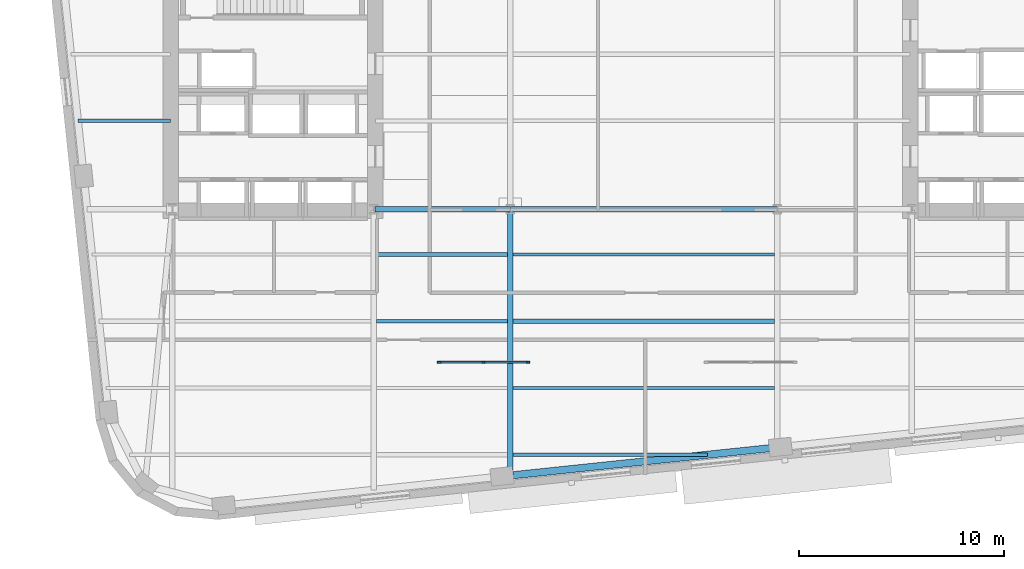
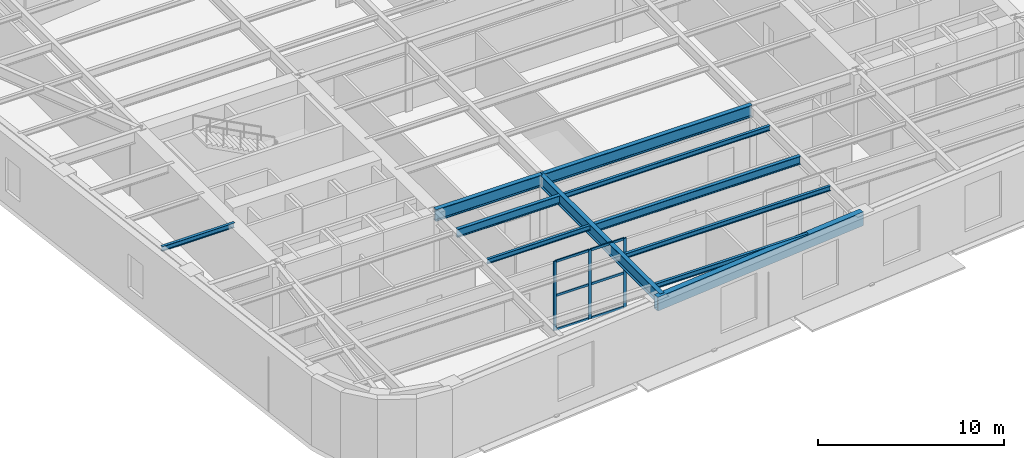
# One storey, part 2 of 14: 11 beams, 9 members, 1 element without a shape of its own.
"""IFC4 building model written with IfcOpenShell, lengths in metres."""

from ifc_helpers import new_model, si_unit, direction, frame, origin, origin_2d, place, context, subcontext, project, spatial, rectangle, hollow_rectangle, i_section, extrude, material, material_profile, profile_set, type_object, element, aggregate, save


model = new_model("IFC4")

# Units and contexts
model_context = context("Model", 3, precision=1e-05, world=origin(), true_north=direction((0.0, 1.0)))
body_context = subcontext(model_context, "Body", "Model", "MODEL_VIEW")
ifc_project = project(units=[si_unit("LENGTHUNIT", "METRE"), si_unit("AREAUNIT", "SQUARE_METRE"), si_unit("VOLUMEUNIT", "CUBIC_METRE"), si_unit("PLANEANGLEUNIT", "RADIAN"), si_unit("MASSUNIT", "GRAM", prefix="KILO")], contexts=[model_context])

# Site, building, storey
site_placement = place(None, origin())
site = spatial("IfcSite", under=ifc_project, at=site_placement, CompositionType="ELEMENT")
building_placement = place(site_placement, origin())
building = spatial("IfcBuilding", under=site, at=building_placement, Name="Kolvaren Arena Tower", CompositionType="ELEMENT")
storey_placement = place(building_placement, frame((0.0, 0.0, 125.949951171875)))
storey = spatial("IfcBuildingStorey", under=building, at=storey_placement, Name="L29", CompositionType="ELEMENT", Elevation=125.949951171875)

# Beams
ifc_material_1 = material(Name="Steel CSA G40.21 350W", Category="steel")
ifc_material_profile_1 = material_profile(ifc_material_1, i_section(OverallWidth=0.2119140625, OverallDepth=0.54296875, WebThickness=0.01318359375, FlangeThickness=0.0244140625, FilletRadius=0.013916015625, at=origin_2d()), Name="W530x150")
ifc_profile_set_1 = profile_set([ifc_material_profile_1], Name="Steel CSA G40.21 350W")
beam_type_1 = type_object("IfcBeamType", Name="BEAM-F1", PredefinedType="BEAM", material=ifc_profile_set_1)
beam_1_placement = place(storey_placement, frame((31.135009765625, 14.0, 4.258544921875), z_axis=(1.0, 0.0, 0.0), x_axis=(0.0, 1.0, 0.0)))
element("IfcBeam", 1, at=beam_1_placement, inside=storey, type_object=beam_type_1, Name="Composite Floor Beam (L29)", PredefinedType="BEAM", context=body_context, shape_type="SweptSolid", body=[
    extrude(i_section(OverallWidth=0.2119140625, OverallDepth=0.54296875, WebThickness=0.01318359375, FlangeThickness=0.0244140625, FilletRadius=0.013916015625, at=origin_2d()), origin(), (0.0, 0.0, 1.0), 12.72998046875),
])
beam_2_placement = place(storey_placement, frame((24.485107421875, 17.25, 4.258544921875), z_axis=(1.0, 0.0, 0.0), x_axis=(0.0, 1.0, 0.0)))
element("IfcBeam", 2, at=beam_2_placement, inside=storey, type_object=beam_type_1, Name="Composite Floor Beam (L29)", PredefinedType="BEAM", context=body_context, shape_type="SweptSolid", body=[
    extrude(i_section(OverallWidth=0.2119140625, OverallDepth=0.54296875, WebThickness=0.01318359375, FlangeThickness=0.0244140625, FilletRadius=0.013916015625, at=origin_2d()), origin(), (0.0, 0.0, 1.0), 6.3798828125),
])

# Curtain wall, members
ifc_material_2 = material(Name="Anodised aluminium unitised curtain wall", Category="aluminium")
curtain_wall_type = type_object("IfcCurtainWallType", Name="CW-SYS-03", PredefinedType="USERDEFINED", material=ifc_material_2)
curtain_wall_placement = place(storey_placement, origin())
curtain_wall = element("IfcCurtainWall", 3, at=curtain_wall_placement, inside=storey, type_object=curtain_wall_type, Name="Sky Lobby Feature Curtain Wall (L29)", ObjectType="UNITISED CURTAIN WALL", PredefinedType="USERDEFINED")
ifc_material_3 = material(Name="Anodised aluminium 6063-T6", Category="aluminium")
ifc_material_profile_2 = material_profile(ifc_material_3, rectangle(XDim=0.080078125, YDim=0.179931640625, at=origin_2d()), Name="ALU-80x180")
ifc_profile_set_2 = profile_set([ifc_material_profile_2], Name="Anodised aluminium 6063-T6")
member_type_1 = type_object("IfcMemberType", Name="CWM-STD", PredefinedType="MULLION", material=ifc_profile_set_2)
member_1_placement = place(storey_placement, frame((27.5400390625, 12.0, 0.0), z_axis=(0.0, 0.0, 1.0), x_axis=(0.0, 1.0, 0.0)))
member_1 = element("IfcMember", 4, at=member_1_placement, type_object=member_type_1, Name="CW3 mullion 1", PredefinedType="MULLION", context=body_context, shape_type="SweptSolid", body=[
    extrude(rectangle(XDim=0.080078125, YDim=0.179931640625, at=origin_2d()), origin(), (0.0, 0.0, 1.0), 4.530029296875),
])
member_2_placement = place(storey_placement, frame((29.699951171875, 12.0, 0.0), z_axis=(0.0, 0.0, 1.0), x_axis=(0.0, 1.0, 0.0)))
member_2 = element("IfcMember", 5, at=member_2_placement, type_object=member_type_1, Name="CW3 mullion 2", PredefinedType="MULLION", context=body_context, shape_type="SweptSolid", body=[
    extrude(rectangle(XDim=0.080078125, YDim=0.179931640625, at=origin_2d()), origin(), (0.0, 0.0, 1.0), 4.530029296875),
])
member_3_placement = place(storey_placement, frame((31.860107421875, 12.0, 0.0), z_axis=(0.0, 0.0, 1.0), x_axis=(0.0, 1.0, 0.0)))
member_3 = element("IfcMember", 6, at=member_3_placement, type_object=member_type_1, Name="CW3 mullion 3", PredefinedType="MULLION", context=body_context, shape_type="SweptSolid", body=[
    extrude(rectangle(XDim=0.080078125, YDim=0.179931640625, at=origin_2d()), origin(), (0.0, 0.0, 1.0), 4.530029296875),
])
ifc_material_profile_3 = material_profile(ifc_material_3, rectangle(XDim=0.080078125, YDim=0.14990234375, at=origin_2d()), Name="ALU-80x150")
ifc_profile_set_3 = profile_set([ifc_material_profile_3], Name="Anodised aluminium 6063-T6")
member_type_2 = type_object("IfcMemberType", Name="CWT-STD", PredefinedType="USERDEFINED", material=ifc_profile_set_3)
member_4_placement = place(storey_placement, frame((27.580078125, 12.0, 0.0400390625), z_axis=(1.0, 0.0, 0.0), x_axis=(0.0, 1.0, 0.0)))
member_4 = element("IfcMember", 7, at=member_4_placement, type_object=member_type_2, Name="CW3 transom 1.1", ObjectType="TRANSOM", PredefinedType="USERDEFINED", context=body_context, shape_type="SweptSolid", body=[
    extrude(rectangle(XDim=0.080078125, YDim=0.14990234375, at=origin_2d()), origin(), (0.0, 0.0, 1.0), 2.079833984375),
])
member_5_placement = place(storey_placement, frame((27.580078125, 12.0, 2.26513671875), z_axis=(1.0, 0.0, 0.0), x_axis=(0.0, 1.0, 0.0)))
member_5 = element("IfcMember", 8, at=member_5_placement, type_object=member_type_2, Name="CW3 transom 1.2", ObjectType="TRANSOM", PredefinedType="USERDEFINED", context=body_context, shape_type="SweptSolid", body=[
    extrude(rectangle(XDim=0.080078125, YDim=0.14990234375, at=origin_2d()), origin(), (0.0, 0.0, 1.0), 2.079833984375),
])
member_6_placement = place(storey_placement, frame((27.580078125, 12.0, 4.489990234375), z_axis=(1.0, 0.0, 0.0), x_axis=(0.0, 1.0, 0.0)))
member_6 = element("IfcMember", 9, at=member_6_placement, type_object=member_type_2, Name="CW3 transom 1.3", ObjectType="TRANSOM", PredefinedType="USERDEFINED", context=body_context, shape_type="SweptSolid", body=[
    extrude(rectangle(XDim=0.080078125, YDim=0.14990234375, at=origin_2d()), origin(), (0.0, 0.0, 1.0), 2.079833984375),
])
member_7_placement = place(storey_placement, frame((29.739990234375, 12.0, 0.0400390625), z_axis=(1.0, 0.0, 0.0), x_axis=(0.0, 1.0, 0.0)))
member_7 = element("IfcMember", 10, at=member_7_placement, type_object=member_type_2, Name="CW3 transom 2.1", ObjectType="TRANSOM", PredefinedType="USERDEFINED", context=body_context, shape_type="SweptSolid", body=[
    extrude(rectangle(XDim=0.080078125, YDim=0.14990234375, at=origin_2d()), origin(), (0.0, 0.0, 1.0), 2.080078125),
])
member_8_placement = place(storey_placement, frame((29.739990234375, 12.0, 2.26513671875), z_axis=(1.0, 0.0, 0.0), x_axis=(0.0, 1.0, 0.0)))
member_8 = element("IfcMember", 11, at=member_8_placement, type_object=member_type_2, Name="CW3 transom 2.2", ObjectType="TRANSOM", PredefinedType="USERDEFINED", context=body_context, shape_type="SweptSolid", body=[
    extrude(rectangle(XDim=0.080078125, YDim=0.14990234375, at=origin_2d()), origin(), (0.0, 0.0, 1.0), 2.080078125),
])
member_9_placement = place(storey_placement, frame((29.739990234375, 12.0, 4.489990234375), z_axis=(1.0, 0.0, 0.0), x_axis=(0.0, 1.0, 0.0)))
member_9 = element("IfcMember", 12, at=member_9_placement, type_object=member_type_2, Name="CW3 transom 2.3", ObjectType="TRANSOM", PredefinedType="USERDEFINED", context=body_context, shape_type="SweptSolid", body=[
    extrude(rectangle(XDim=0.080078125, YDim=0.14990234375, at=origin_2d()), origin(), (0.0, 0.0, 1.0), 2.080078125),
])
aggregate(curtain_wall, [member_1, member_2, member_3, member_4, member_5, member_6, member_7, member_8, member_9])

# Beams
ifc_material_profile_4 = material_profile(ifc_material_1, i_section(OverallWidth=0.27001953125, OverallDepth=0.77294921875, WebThickness=0.019287109375, FlangeThickness=0.033447265625, FilletRadius=0.01806640625, at=origin_2d()), Name="W760x257")
ifc_profile_set_4 = profile_set([ifc_material_profile_4], Name="Steel CSA G40.21 350W")
beam_type_2 = type_object("IfcBeamType", Name="GIRD-T1", PredefinedType="BEAM", material=ifc_profile_set_4)
beam_3_placement = place(storey_placement, frame((24.405029296875, 19.449951171875, 4.1435546875), z_axis=(1.0, 0.0, 0.0), x_axis=(0.0, 1.0, 0.0)))
element("IfcBeam", 13, at=beam_3_placement, inside=storey, type_object=beam_type_2, Name="Primary Floor Girder (L29)", PredefinedType="BEAM", context=body_context, shape_type="SweptSolid", body=[
    extrude(i_section(OverallWidth=0.27001953125, OverallDepth=0.77294921875, WebThickness=0.019287109375, FlangeThickness=0.033447265625, FilletRadius=0.01806640625, at=origin_2d()), origin(), (0.0, 0.0, 1.0), 6.594970703125),
])
beam_4_placement = place(storey_placement, frame((31.0, 19.449951171875, 4.1435546875), z_axis=(1.0, 0.0, 0.0), x_axis=(0.0, 1.0, 0.0)))
element("IfcBeam", 14, at=beam_4_placement, inside=storey, type_object=beam_type_2, Name="Primary Floor Girder (L29)", PredefinedType="BEAM", context=body_context, shape_type="SweptSolid", body=[
    extrude(i_section(OverallWidth=0.27001953125, OverallDepth=0.77294921875, WebThickness=0.019287109375, FlangeThickness=0.033447265625, FilletRadius=0.01806640625, at=origin_2d()), origin(), (0.0, 0.0, 1.0), 13.0),
])
beam_5_placement = place(storey_placement, frame((31.0, 6.4912109375, 4.1435546875), z_axis=(0.0, 1.0, 0.0), x_axis=(-1.0, 0.0, 0.0)))
element("IfcBeam", 15, at=beam_5_placement, inside=storey, type_object=beam_type_2, Name="Primary Floor Girder (L29)", PredefinedType="BEAM", context=body_context, shape_type="SweptSolid", body=[
    extrude(i_section(OverallWidth=0.27001953125, OverallDepth=0.77294921875, WebThickness=0.019287109375, FlangeThickness=0.033447265625, FilletRadius=0.01806640625, at=origin_2d()), origin(), (0.0, 0.0, 1.0), 12.958740234375),
])
ifc_material_profile_5 = material_profile(ifc_material_1, i_section(OverallWidth=0.1669921875, OverallDepth=0.31689453125, WebThickness=0.007568359375, FlangeThickness=0.01318359375, FilletRadius=0.010009765625, at=origin_2d()), Name="W310x52")
ifc_profile_set_5 = profile_set([ifc_material_profile_5], Name="Steel CSA G40.21 350W")
beam_type_3 = type_object("IfcBeamType", Name="JOIST-02", PredefinedType="JOIST", material=ifc_profile_set_5)
beam_6_placement = place(storey_placement, frame((31.135009765625, 7.5, 4.37158203125), z_axis=(1.0, 0.0, 0.0), x_axis=(0.0, 1.0, 0.0)))
element("IfcBeam", 16, at=beam_6_placement, inside=storey, type_object=beam_type_3, Name="Composite Floor Joist (L29)", PredefinedType="JOIST", context=body_context, shape_type="SweptSolid", body=[
    extrude(i_section(OverallWidth=0.1669921875, OverallDepth=0.31689453125, WebThickness=0.007568359375, FlangeThickness=0.01318359375, FilletRadius=0.010009765625, at=origin_2d()), origin(), (0.0, 0.0, 1.0), 9.462890625),
])
beam_7_placement = place(storey_placement, frame((31.135009765625, 10.75, 4.37158203125), z_axis=(1.0, 0.0, 0.0), x_axis=(0.0, 1.0, 0.0)))
element("IfcBeam", 17, at=beam_7_placement, inside=storey, type_object=beam_type_3, Name="Composite Floor Joist (L29)", PredefinedType="JOIST", context=body_context, shape_type="SweptSolid", body=[
    extrude(i_section(OverallWidth=0.1669921875, OverallDepth=0.31689453125, WebThickness=0.007568359375, FlangeThickness=0.01318359375, FilletRadius=0.010009765625, at=origin_2d()), origin(), (0.0, 0.0, 1.0), 12.72998046875),
])
beam_8_placement = place(storey_placement, frame((24.485107421875, 14.0, 4.37158203125), z_axis=(1.0, 0.0, 0.0), x_axis=(0.0, 1.0, 0.0)))
element("IfcBeam", 18, at=beam_8_placement, inside=storey, type_object=beam_type_3, Name="Composite Floor Joist (L29)", PredefinedType="JOIST", context=body_context, shape_type="SweptSolid", body=[
    extrude(i_section(OverallWidth=0.1669921875, OverallDepth=0.31689453125, WebThickness=0.007568359375, FlangeThickness=0.01318359375, FilletRadius=0.010009765625, at=origin_2d()), origin(), (0.0, 0.0, 1.0), 6.3798828125),
])
beam_9_placement = place(storey_placement, frame((31.135009765625, 17.25, 4.37158203125), z_axis=(1.0, 0.0, 0.0), x_axis=(0.0, 1.0, 0.0)))
element("IfcBeam", 19, at=beam_9_placement, inside=storey, type_object=beam_type_3, Name="Composite Floor Joist (L29)", PredefinedType="JOIST", context=body_context, shape_type="SweptSolid", body=[
    extrude(i_section(OverallWidth=0.1669921875, OverallDepth=0.31689453125, WebThickness=0.007568359375, FlangeThickness=0.01318359375, FilletRadius=0.010009765625, at=origin_2d()), origin(), (0.0, 0.0, 1.0), 12.72998046875),
])
beam_10_placement = place(storey_placement, frame((9.94970703125, 23.75, 4.37158203125), z_axis=(1.0, 0.0, 0.0), x_axis=(0.0, 1.0, 0.0)))
element("IfcBeam", 20, at=beam_10_placement, inside=storey, type_object=beam_type_3, Name="Composite Floor Joist (L29)", PredefinedType="JOIST", context=body_context, shape_type="SweptSolid", body=[
    extrude(i_section(OverallWidth=0.1669921875, OverallDepth=0.31689453125, WebThickness=0.007568359375, FlangeThickness=0.01318359375, FilletRadius=0.010009765625, at=origin_2d()), origin(), (0.0, 0.0, 1.0), 4.50537109375),
])
ifc_material_4 = material(Name="Steel CSA G40.21 350WT", Category="steel")
ifc_material_profile_6 = material_profile(ifc_material_4, hollow_rectangle(XDim=0.35009765625, YDim=0.89990234375, WallThickness=0.02001953125, at=origin_2d()), Name="HSS 900x350x20")
ifc_profile_set_6 = profile_set([ifc_material_profile_6], Name="Steel CSA G40.21 350WT")
beam_type_4 = type_object("IfcBeamType", Name="SPAND-01", PredefinedType="SPANDREL", material=ifc_profile_set_6)
beam_11_placement = place(storey_placement, frame((30.59619140625, 6.44873046875, 4.080078125), z_axis=(0.994521150946, 0.104535545729, 0.0), x_axis=(-0.104535545729, 0.994521150946, 0.0)))
element("IfcBeam", 21, at=beam_11_placement, inside=storey, type_object=beam_type_4, Name="Perimeter Spandrel Beam (L29)", PredefinedType="SPANDREL", context=body_context, shape_type="SweptSolid", body=[
    extrude(hollow_rectangle(XDim=0.35009765625, YDim=0.89990234375, WallThickness=0.02001953125, at=origin_2d()), origin(), (0.0, 0.0, 1.0), 13.625244140625),
])

save(model, "model.ifc")
